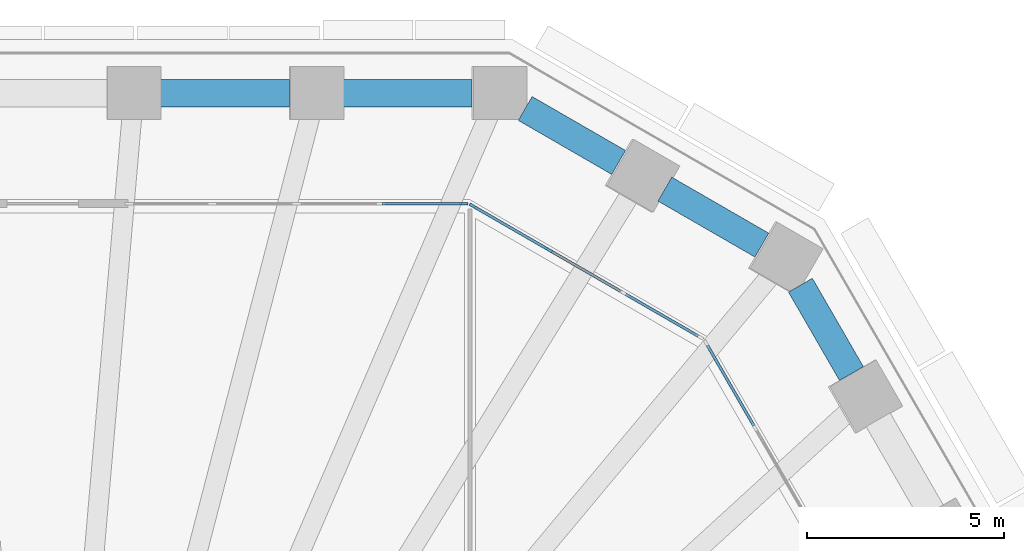
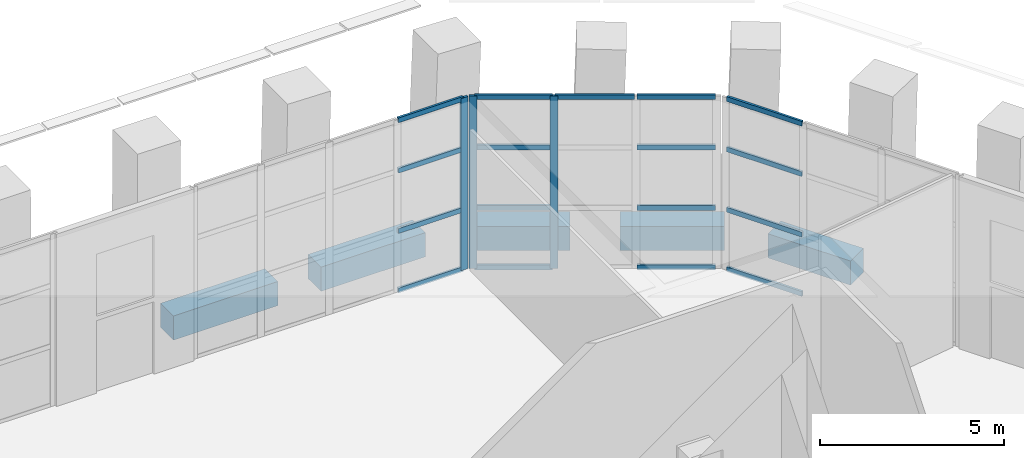
# One storey, part 9 of 22: 20 members, 5 beams, 3 elements without a shape of their own.
"""IFC4 building model written with IfcOpenShell, lengths in metres."""

from ifc_helpers import new_model, si_unit, direction, frame, origin, origin_2d, place, context, subcontext, project, spatial, rectangle, extrude, material, material_profile, profile_set, type_object, element, aggregate, save


model = new_model("IFC4")

# Units and contexts
model_context = context("Model", 3, precision=1e-05, world=origin(), true_north=direction((0.0, 1.0)))
body_context = subcontext(model_context, "Body", "Model", "MODEL_VIEW")
ifc_project = project(units=[si_unit("LENGTHUNIT", "METRE"), si_unit("AREAUNIT", "SQUARE_METRE"), si_unit("VOLUMEUNIT", "CUBIC_METRE"), si_unit("PLANEANGLEUNIT", "RADIAN"), si_unit("MASSUNIT", "GRAM", prefix="KILO")], contexts=[model_context])

# Site, building, storey
site_placement = place(None, origin())
site = spatial("IfcSite", under=ifc_project, at=site_placement, CompositionType="ELEMENT")
building_placement = place(site_placement, origin())
building = spatial("IfcBuilding", under=site, at=building_placement, Name="Frailejon Research Tower", CompositionType="ELEMENT")
storey_placement = place(building_placement, frame((0.0, 0.0, 107.199951171875)))
storey = spatial("IfcBuildingStorey", under=building, at=storey_placement, Name="L23", CompositionType="ELEMENT", Elevation=107.199951171875)

# Curtain wall, members
ifc_material_1 = material(Name="Aluminium curtain wall", Category="aluminium")
curtain_wall_type = type_object("IfcCurtainWallType", Name="Sky lobby curtain wall system", PredefinedType="NOTDEFINED", material=ifc_material_1)
curtain_wall_1_placement = place(storey_placement, origin())
curtain_wall_1 = element("IfcCurtainWall", 1, at=curtain_wall_1_placement, inside=storey, type_object=curtain_wall_type, Name="Curtain wall L23", PredefinedType="NOTDEFINED")
ifc_material_2 = material(Name="Aluminium extrusion", Category="aluminium")
ifc_material_profile_1 = material_profile(ifc_material_2, rectangle(XDim=0.070068359375, YDim=0.219970703125, at=origin_2d()), Name="Sky lobby curtain wall mullion 70x220")
ifc_profile_set_1 = profile_set([ifc_material_profile_1], Name="Aluminium extrusion")
member_type_1 = type_object("IfcMemberType", Name="Sky lobby curtain wall mullion 70x220", PredefinedType="MULLION", material=ifc_profile_set_1)
member_1_placement = place(storey_placement, frame((12.801025390625, 22.737548828125, 0.0), z_axis=(0.0, 0.0, 1.0), x_axis=(-0.499998258782, -0.866026409075, 0.0)))
member_1 = element("IfcMember", 2, at=member_1_placement, type_object=member_type_1, Name="CW4-084 mullion 3", PredefinedType="MULLION", context=body_context, shape_type="SweptSolid", body=[
    extrude(rectangle(XDim=0.070068359375, YDim=0.219970703125, at=origin_2d()), origin(), (0.0, 0.0, 1.0), 5.699951171875),
])
member_2_placement = place(storey_placement, frame((10.904541015625, 23.83251953125, 0.0), z_axis=(0.0, 0.0, 1.0), x_axis=(-0.499998258782, -0.866026409075, 0.0)))
member_2 = element("IfcMember", 3, at=member_2_placement, type_object=member_type_1, Name="CW4-084 mullion 4", PredefinedType="MULLION", context=body_context, shape_type="SweptSolid", body=[
    extrude(rectangle(XDim=0.070068359375, YDim=0.219970703125, at=origin_2d()), origin(), (0.0, 0.0, 1.0), 5.699951171875),
])

# Curtain wall, member
curtain_wall_2_placement = place(storey_placement, origin())
curtain_wall_2 = element("IfcCurtainWall", 4, at=curtain_wall_2_placement, inside=storey, type_object=curtain_wall_type, Name="Curtain wall L23", PredefinedType="NOTDEFINED")
member_3_placement = place(storey_placement, frame((10.652587890625, 23.89990234375, 0.0), z_axis=(0.0, 0.0, 1.0), x_axis=(0.0, -1.0, 0.0)))
member_3 = element("IfcMember", 5, at=member_3_placement, type_object=member_type_1, Name="CW4-085 mullion 1", PredefinedType="MULLION", context=body_context, shape_type="SweptSolid", body=[
    extrude(rectangle(XDim=0.070068359375, YDim=0.219970703125, at=origin_2d()), origin(), (0.0, 0.0, 1.0), 5.699951171875),
])

# Curtain wall, members
curtain_wall_3_placement = place(storey_placement, origin())
curtain_wall_3 = element("IfcCurtainWall", 6, at=curtain_wall_3_placement, inside=storey, type_object=curtain_wall_type, Name="Curtain wall L23", PredefinedType="NOTDEFINED")
ifc_material_3 = material(Name="Aluminium extrusion", Category="aluminium")
ifc_material_profile_2 = material_profile(ifc_material_3, rectangle(XDim=0.070068359375, YDim=0.159912109375, at=origin_2d()), Name="Sky lobby curtain wall transom 70x160")
ifc_profile_set_2 = profile_set([ifc_material_profile_2], Name="Aluminium extrusion")
member_type_2 = type_object("IfcMemberType", Name="Sky lobby curtain wall transom 70x160", PredefinedType="USERDEFINED", material=ifc_profile_set_2)
member_4_placement = place(storey_placement, frame((18.003662109375, 18.27587890625, 0.03515625), z_axis=(-0.499985682323, 0.866033669941, 0.0), x_axis=(-0.866033669941, -0.499985682323, 0.0)))
member_4 = element("IfcMember", 7, at=member_4_placement, type_object=member_type_2, Name="CW4-083 transom 3.1", ObjectType="TRANSOM", PredefinedType="USERDEFINED", context=body_context, shape_type="SweptSolid", body=[
    extrude(rectangle(XDim=0.070068359375, YDim=0.159912109375, at=origin_2d()), origin(), (0.0, 0.0, 1.0), 2.35498046875),
])
member_5_placement = place(storey_placement, frame((18.003662109375, 18.27587890625, 2.0), z_axis=(-0.499985682323, 0.866033669941, 0.0), x_axis=(-0.866033669941, -0.499985682323, 0.0)))
member_5 = element("IfcMember", 8, at=member_5_placement, type_object=member_type_2, Name="CW4-083 transom 3.2", ObjectType="TRANSOM", PredefinedType="USERDEFINED", context=body_context, shape_type="SweptSolid", body=[
    extrude(rectangle(XDim=0.070068359375, YDim=0.159912109375, at=origin_2d()), origin(), (0.0, 0.0, 1.0), 2.35498046875),
])
member_6_placement = place(storey_placement, frame((18.003662109375, 18.27587890625, 4.0), z_axis=(-0.499985682323, 0.866033669941, 0.0), x_axis=(-0.866033669941, -0.499985682323, 0.0)))
member_6 = element("IfcMember", 9, at=member_6_placement, type_object=member_type_2, Name="CW4-083 transom 3.3", ObjectType="TRANSOM", PredefinedType="USERDEFINED", context=body_context, shape_type="SweptSolid", body=[
    extrude(rectangle(XDim=0.070068359375, YDim=0.159912109375, at=origin_2d()), origin(), (0.0, 0.0, 1.0), 2.35498046875),
])
member_7_placement = place(storey_placement, frame((18.003662109375, 18.27587890625, 5.6650390625), z_axis=(-0.499985682323, 0.866033669941, 0.0), x_axis=(-0.866033669941, -0.499985682323, 0.0)))
member_7 = element("IfcMember", 10, at=member_7_placement, type_object=member_type_2, Name="CW4-083 transom 3.4", ObjectType="TRANSOM", PredefinedType="USERDEFINED", context=body_context, shape_type="SweptSolid", body=[
    extrude(rectangle(XDim=0.070068359375, YDim=0.159912109375, at=origin_2d()), origin(), (0.0, 0.0, 1.0), 2.35498046875),
])
aggregate(curtain_wall_3, [member_4, member_5, member_6, member_7])

# Member
member_8_placement = place(storey_placement, frame((16.593994140625, 20.547607421875, 0.03515625), z_axis=(-0.866009148195, 0.50002815445, 0.0), x_axis=(-0.50002815445, -0.866009148195, 0.0)))
member_8 = element("IfcMember", 11, at=member_8_placement, type_object=member_type_2, Name="CW4-084 transom 1.1", ObjectType="TRANSOM", PredefinedType="USERDEFINED", context=body_context, shape_type="SweptSolid", body=[
    extrude(rectangle(XDim=0.070068359375, YDim=0.159912109375, at=origin_2d()), origin(), (0.0, 0.0, 1.0), 2.1201171875),
])

member_9_placement = place(storey_placement, frame((16.593994140625, 20.547607421875, 2.0), z_axis=(-0.866009148195, 0.50002815445, 0.0), x_axis=(-0.50002815445, -0.866009148195, 0.0)))
member_9 = element("IfcMember", 12, at=member_9_placement, type_object=member_type_2, Name="CW4-084 transom 1.2", ObjectType="TRANSOM", PredefinedType="USERDEFINED", context=body_context, shape_type="SweptSolid", body=[
    extrude(rectangle(XDim=0.070068359375, YDim=0.159912109375, at=origin_2d()), origin(), (0.0, 0.0, 1.0), 2.1201171875),
])

member_10_placement = place(storey_placement, frame((16.593994140625, 20.547607421875, 4.0), z_axis=(-0.866009148195, 0.50002815445, 0.0), x_axis=(-0.50002815445, -0.866009148195, 0.0)))
member_10 = element("IfcMember", 13, at=member_10_placement, type_object=member_type_2, Name="CW4-084 transom 1.3", ObjectType="TRANSOM", PredefinedType="USERDEFINED", context=body_context, shape_type="SweptSolid", body=[
    extrude(rectangle(XDim=0.070068359375, YDim=0.159912109375, at=origin_2d()), origin(), (0.0, 0.0, 1.0), 2.1201171875),
])

member_11_placement = place(storey_placement, frame((16.593994140625, 20.547607421875, 5.6650390625), z_axis=(-0.866009148195, 0.50002815445, 0.0), x_axis=(-0.50002815445, -0.866009148195, 0.0)))
member_11 = element("IfcMember", 14, at=member_11_placement, type_object=member_type_2, Name="CW4-084 transom 1.4", ObjectType="TRANSOM", PredefinedType="USERDEFINED", context=body_context, shape_type="SweptSolid", body=[
    extrude(rectangle(XDim=0.070068359375, YDim=0.159912109375, at=origin_2d()), origin(), (0.0, 0.0, 1.0), 2.1201171875),
])

member_12_placement = place(storey_placement, frame((14.697509765625, 21.642578125, 5.6650390625), z_axis=(-0.866038426532, 0.499977443261, 0.0), x_axis=(-0.499977443261, -0.866038426532, 0.0)))
member_12 = element("IfcMember", 15, at=member_12_placement, type_object=member_type_2, Name="CW4-084 transom 2.4", ObjectType="TRANSOM", PredefinedType="USERDEFINED", context=body_context, shape_type="SweptSolid", body=[
    extrude(rectangle(XDim=0.070068359375, YDim=0.159912109375, at=origin_2d()), origin(), (0.0, 0.0, 1.0), 2.15478515625),
])

member_13_placement = place(storey_placement, frame((12.770751953125, 22.755126953125, 0.03515625), z_axis=(-0.866059014716, 0.499941779639, 0.0), x_axis=(-0.499941779639, -0.866059014716, 0.0)))
member_13 = element("IfcMember", 16, at=member_13_placement, type_object=member_type_2, Name="CW4-084 transom 3.1", ObjectType="TRANSOM", PredefinedType="USERDEFINED", context=body_context, shape_type="SweptSolid", body=[
    extrude(rectangle(XDim=0.070068359375, YDim=0.159912109375, at=origin_2d()), origin(), (0.0, 0.0, 1.0), 2.119873046875),
])

member_14_placement = place(storey_placement, frame((12.770751953125, 22.755126953125, 2.0), z_axis=(-0.866059014716, 0.499941779639, 0.0), x_axis=(-0.499941779639, -0.866059014716, 0.0)))
member_14 = element("IfcMember", 17, at=member_14_placement, type_object=member_type_2, Name="CW4-084 transom 3.2", ObjectType="TRANSOM", PredefinedType="USERDEFINED", context=body_context, shape_type="SweptSolid", body=[
    extrude(rectangle(XDim=0.070068359375, YDim=0.159912109375, at=origin_2d()), origin(), (0.0, 0.0, 1.0), 2.119873046875),
])

member_15_placement = place(storey_placement, frame((12.770751953125, 22.755126953125, 4.0), z_axis=(-0.866059014716, 0.499941779639, 0.0), x_axis=(-0.499941779639, -0.866059014716, 0.0)))
member_15 = element("IfcMember", 18, at=member_15_placement, type_object=member_type_2, Name="CW4-084 transom 3.3", ObjectType="TRANSOM", PredefinedType="USERDEFINED", context=body_context, shape_type="SweptSolid", body=[
    extrude(rectangle(XDim=0.070068359375, YDim=0.159912109375, at=origin_2d()), origin(), (0.0, 0.0, 1.0), 2.119873046875),
])

member_16_placement = place(storey_placement, frame((12.770751953125, 22.755126953125, 5.6650390625), z_axis=(-0.866059014716, 0.499941779639, 0.0), x_axis=(-0.499941779639, -0.866059014716, 0.0)))
member_16 = element("IfcMember", 19, at=member_16_placement, type_object=member_type_2, Name="CW4-084 transom 3.4", ObjectType="TRANSOM", PredefinedType="USERDEFINED", context=body_context, shape_type="SweptSolid", body=[
    extrude(rectangle(XDim=0.070068359375, YDim=0.159912109375, at=origin_2d()), origin(), (0.0, 0.0, 1.0), 2.119873046875),
])

aggregate(curtain_wall_1, [member_1, member_2, member_8, member_9, member_10, member_11, member_12, member_13, member_14, member_15, member_16])

member_17_placement = place(storey_placement, frame((10.61767578125, 23.89990234375, 0.03515625), z_axis=(-1.0, 0.0, 0.0), x_axis=(0.0, -1.0, 0.0)))
member_17 = element("IfcMember", 20, at=member_17_placement, type_object=member_type_2, Name="CW4-085 transom 1.1", ObjectType="TRANSOM", PredefinedType="USERDEFINED", context=body_context, shape_type="SweptSolid", body=[
    extrude(rectangle(XDim=0.070068359375, YDim=0.159912109375, at=origin_2d()), origin(), (0.0, 0.0, 1.0), 2.027587890625),
])

member_18_placement = place(storey_placement, frame((10.61767578125, 23.89990234375, 2.0), z_axis=(-1.0, 0.0, 0.0), x_axis=(0.0, -1.0, 0.0)))
member_18 = element("IfcMember", 21, at=member_18_placement, type_object=member_type_2, Name="CW4-085 transom 1.2", ObjectType="TRANSOM", PredefinedType="USERDEFINED", context=body_context, shape_type="SweptSolid", body=[
    extrude(rectangle(XDim=0.070068359375, YDim=0.159912109375, at=origin_2d()), origin(), (0.0, 0.0, 1.0), 2.027587890625),
])

member_19_placement = place(storey_placement, frame((10.61767578125, 23.89990234375, 4.0), z_axis=(-1.0, 0.0, 0.0), x_axis=(0.0, -1.0, 0.0)))
member_19 = element("IfcMember", 22, at=member_19_placement, type_object=member_type_2, Name="CW4-085 transom 1.3", ObjectType="TRANSOM", PredefinedType="USERDEFINED", context=body_context, shape_type="SweptSolid", body=[
    extrude(rectangle(XDim=0.070068359375, YDim=0.159912109375, at=origin_2d()), origin(), (0.0, 0.0, 1.0), 2.027587890625),
])

member_20_placement = place(storey_placement, frame((10.61767578125, 23.89990234375, 5.6650390625), z_axis=(-1.0, 0.0, 0.0), x_axis=(0.0, -1.0, 0.0)))
member_20 = element("IfcMember", 23, at=member_20_placement, type_object=member_type_2, Name="CW4-085 transom 1.4", ObjectType="TRANSOM", PredefinedType="USERDEFINED", context=body_context, shape_type="SweptSolid", body=[
    extrude(rectangle(XDim=0.070068359375, YDim=0.159912109375, at=origin_2d()), origin(), (0.0, 0.0, 1.0), 2.027587890625),
])

aggregate(curtain_wall_2, [member_3, member_17, member_18, member_19, member_20])

# Beams
ifc_material_4 = material(Name="Concrete C60/75", Category="concrete")
ifc_material_profile_3 = material_profile(ifc_material_4, rectangle(XDim=0.699951171875, YDim=0.800048828125, at=origin_2d()), Name="Spandrel 700x800")
ifc_profile_set_3 = profile_set([ifc_material_profile_3], Name="Concrete C60/75")
beam_type = type_object("IfcBeamType", Name="Spandrel 700x800", PredefinedType="BEAM", material=ifc_profile_set_3)
beam_1_placement = place(storey_placement, frame((20.4736328125, 19.597900390625, -0.75), z_axis=(-0.499997591167, 0.86602679452, 0.0), x_axis=(-0.86602679452, -0.499997591167, 0.0)))
element("IfcBeam", 24, at=beam_1_placement, inside=storey, type_object=beam_type, Name="Spandrel 700x800", PredefinedType="BEAM", context=body_context, shape_type="SweptSolid", body=[
    extrude(rectangle(XDim=0.699951171875, YDim=0.800048828125, at=origin_2d()), origin(), (0.0, 0.0, 1.0), 2.5859375),
])
beam_2_placement = place(storey_placement, frame((18.206298828125, 22.849853515625, -0.75), z_axis=(-0.865989280058, 0.500062562911, 0.0), x_axis=(-0.500062562911, -0.865989280058, 0.0)))
element("IfcBeam", 25, at=beam_2_placement, inside=storey, type_object=beam_type, Name="Spandrel 700x800", PredefinedType="BEAM", context=body_context, shape_type="SweptSolid", body=[
    extrude(rectangle(XDim=0.699951171875, YDim=0.800048828125, at=origin_2d()), origin(), (0.0, 0.0, 1.0), 2.837646484375),
])
beam_3_placement = place(storey_placement, frame((14.579833984375, 24.943603515625, -0.75), z_axis=(-0.866002615699, 0.500039468044, 0.0), x_axis=(-0.500039468044, -0.866002615699, 0.0)))
element("IfcBeam", 26, at=beam_3_placement, inside=storey, type_object=beam_type, Name="Spandrel 700x800", PredefinedType="BEAM", context=body_context, shape_type="SweptSolid", body=[
    extrude(rectangle(XDim=0.699951171875, YDim=0.800048828125, at=origin_2d()), origin(), (0.0, 0.0, 1.0), 2.733154296875),
])
for number, where, z_axis, x_axis, name in (
    (27, (10.86279296875, 26.699951171875, -0.75), (-1.0, 0.0, 0.0), (0.0, -1.0, 0.0), "Spandrel 700x800"),
    (28, (6.247802734375, 26.699951171875, -0.75), (-1.0, 0.0, 0.0), (0.0, -1.0, 0.0), "Spandrel 700x800"),
):
    element("IfcBeam", number, at=place(storey_placement, frame(where, z_axis=z_axis, x_axis=x_axis)), inside=storey, type_object=beam_type, Name=name, PredefinedType="BEAM", context=body_context, shape_type="SweptSolid", body=[
        extrude(rectangle(XDim=0.699951171875, YDim=0.800048828125, at=origin_2d()), origin(), (0.0, 0.0, 1.0), 3.26513671875),
    ])

save(model, "model.ifc")
